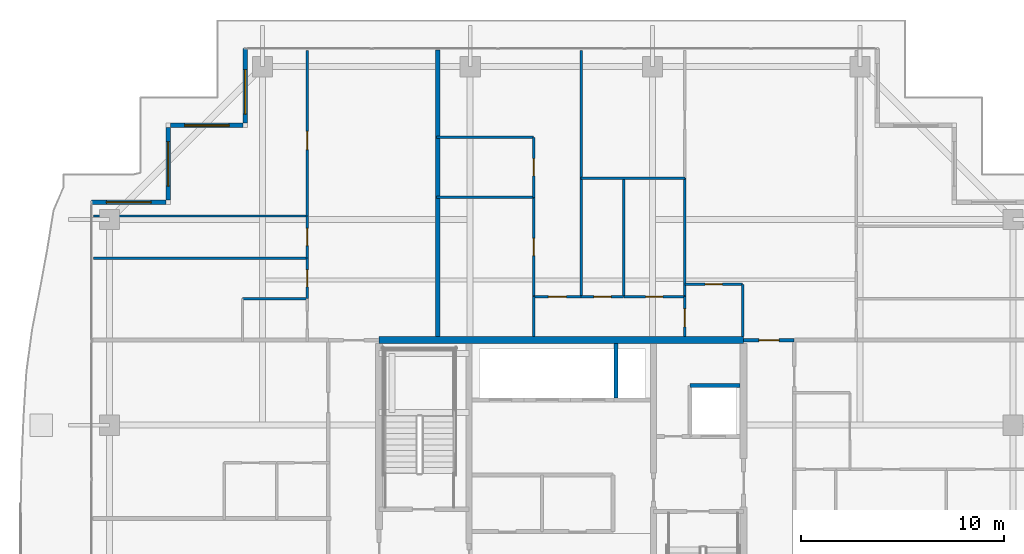
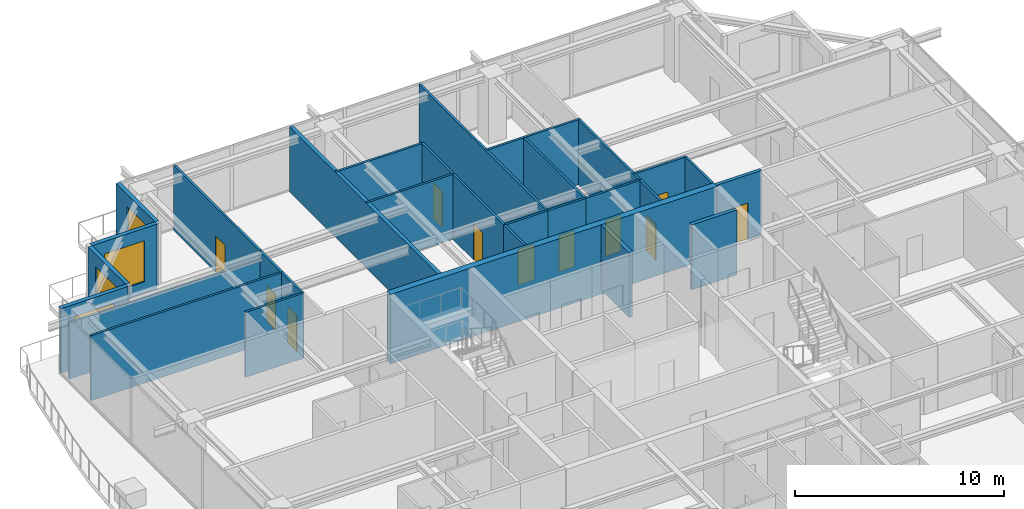
# One storey, part 29 of 37: 30 walls, 11 doors, 4 windows, 15 openings.
"""IFC4 building model written with IfcOpenShell, lengths in metres."""

from ifc_helpers import new_model, si_unit, direction, frame, frame_2d, origin, place, context, subcontext, project, spatial, rectangle, extrude, source, transform, mapped, material, layer, layer_set, type_object, element, fill, save


model = new_model("IFC4")

# Units and contexts
model_context = context("Model", 3, precision=1e-05, world=origin(), true_north=direction((0.0, 1.0)))
body_context = subcontext(model_context, "Body", "Model", "MODEL_VIEW")
ifc_project = project(units=[si_unit("LENGTHUNIT", "METRE"), si_unit("AREAUNIT", "SQUARE_METRE"), si_unit("VOLUMEUNIT", "CUBIC_METRE"), si_unit("PLANEANGLEUNIT", "RADIAN"), si_unit("MASSUNIT", "GRAM", prefix="KILO")], contexts=[model_context])

# Site, building, storey
site_placement = place(None, origin())
site = spatial("IfcSite", under=ifc_project, at=site_placement, CompositionType="ELEMENT")
building_placement = place(site_placement, origin())
building = spatial("IfcBuilding", under=site, at=building_placement, Name="Serunith Strait Residences", CompositionType="ELEMENT")
storey_placement = place(building_placement, frame((0.0, 0.0, 305.60009765625)))
storey = spatial("IfcBuildingStorey", under=building, at=storey_placement, Name="L76", CompositionType="ELEMENT", Elevation=305.60009765625)

# Wall, opening, window
ifc_material_1 = material(Name="Pale-Champagne Aluminium Insulated Panel", Category="aluminium")
ifc_layer_1 = layer(ifc_material_1, 0.219970703125, Name="Pale-Champagne Aluminium Insulated Panel")
ifc_layer_set_1 = layer_set([ifc_layer_1], Name="Pale-Champagne Aluminium Insulated Panel")
wall_type_1 = type_object("IfcWallType", Name="EW-ALUM-220", PredefinedType="ELEMENTEDWALL", material=ifc_layer_set_1)
wall_1_placement = place(storey_placement, frame((16.800048828125, 48.0, 0.0), z_axis=(0.0, 0.0, 1.0), x_axis=(0.0, -1.0, 0.0)))
wall_1 = element("IfcWall", 1, at=wall_1_placement, inside=storey, type_object=wall_type_1, Name="L76 Girih Serrated Corner Wall 12", PredefinedType="ELEMENTEDWALL", context=body_context, shape_type="SweptSolid", body=[
    extrude(rectangle(XDim=3.68994140625, YDim=0.219970703125, at=frame_2d((1.844970703125, 0.0))), origin(), (0.0, 0.0, 1.0), 3.77490234375),
])
opening_1_placement = place(wall_1_placement, frame((1.04296875, 0.0, 0.64990234375)))
opening_1 = element("IfcOpeningElement", 2, at=opening_1_placement, cuts=wall_1, Name="Opening W-06", PredefinedType="OPENING", context=body_context, shape_type="SweptSolid", body=[
    extrude(rectangle(XDim=2.199951171875, YDim=2.39990234375, at=frame_2d((1.10009765625, 1.199951171875))), frame((0.0, 0.1201171875, 0.0), z_axis=(0.0, -1.0, 0.0), x_axis=(1.0, 0.0, 0.0)), (0.0, 0.0, 1.0), 0.239990234375),
])
ifc_material_2 = material(Name="Crown Penthouse Low-E Operable Window Glass", Category="glass")
window_type = type_object("IfcWindowType", Name="WIN-C6", PartitioningType="TRIPLE_PANEL_VERTICAL", PredefinedType="WINDOW", material=ifc_material_2)
shared_shape_1 = source(origin(), body_context, "Body", "SweptSolid", [
    extrude(rectangle(XDim=2.199951171875, YDim=2.39990234375, at=frame_2d((1.10009765625, 1.199951171875))), frame((0.0, 0.030029296875, 0.0), z_axis=(0.0, -1.0, 0.0), x_axis=(1.0, 0.0, 0.0)), (0.0, 0.0, 1.0), 0.06005859375),
])
window_1_placement = place(opening_1_placement, origin())
window_1 = element("IfcWindow", 3, at=window_1_placement, inside=storey, type_object=window_type, Name="L76 Corner Operable Fritted Window 12", OverallHeight=2.39990234375, OverallWidth=2.199951171875, PartitioningType="SINGLE_PANEL", PredefinedType="WINDOW", context=body_context, shape_type="MappedRepresentation", body=[
    mapped(shared_shape_1, transform((0.0, 0.0, 0.0), scale=1.0)),
])
fill(opening_1, window_1)

wall_2_placement = place(storey_placement, frame((16.68994140625, 44.199951171875, 0.0), z_axis=(0.0, 0.0, 1.0), x_axis=(-1.0, 0.0, 0.0)))
wall_2 = element("IfcWall", 4, at=wall_2_placement, inside=storey, type_object=wall_type_1, Name="L76 Girih Serrated Corner Wall 13", PredefinedType="ELEMENTEDWALL", context=body_context, shape_type="SweptSolid", body=[
    extrude(rectangle(XDim=3.579833984375, YDim=0.219970703125, at=frame_2d((1.7900390625, 0.0))), origin(), (0.0, 0.0, 1.0), 3.77490234375),
])
opening_2_placement = place(wall_2_placement, frame((0.68994140625, 0.0, 0.64990234375)))
opening_2 = element("IfcOpeningElement", 5, at=opening_2_placement, cuts=wall_2, Name="Opening W-06", PredefinedType="OPENING", context=body_context, shape_type="SweptSolid", body=[
    extrude(rectangle(XDim=2.199951171875, YDim=2.39990234375, at=frame_2d((1.10009765625, 1.199951171875))), frame((0.0, 0.1201171875, 0.0), z_axis=(0.0, -1.0, 0.0), x_axis=(1.0, 0.0, 0.0)), (0.0, 0.0, 1.0), 0.239990234375),
])
window_2_placement = place(opening_2_placement, origin())
window_2 = element("IfcWindow", 6, at=window_2_placement, inside=storey, type_object=window_type, Name="L76 Corner Operable Fritted Window 13", OverallHeight=2.39990234375, OverallWidth=2.199951171875, PartitioningType="SINGLE_PANEL", PredefinedType="WINDOW", context=body_context, shape_type="MappedRepresentation", body=[
    mapped(shared_shape_1, transform((0.0, 0.0, 0.0), scale=1.0)),
])
fill(opening_2, window_2)

wall_3_placement = place(storey_placement, frame((13.0, 44.090087890625, 0.0), z_axis=(0.0, 0.0, 1.0), x_axis=(0.0, -1.0, 0.0)))
wall_3 = element("IfcWall", 7, at=wall_3_placement, inside=storey, type_object=wall_type_1, Name="L76 Girih Serrated Corner Wall 14", PredefinedType="ELEMENTEDWALL", context=body_context, shape_type="SweptSolid", body=[
    extrude(rectangle(XDim=3.580078125, YDim=0.219970703125, at=frame_2d((1.7900390625, 0.0))), origin(), (0.0, 0.0, 1.0), 3.77490234375),
])
opening_3_placement = place(wall_3_placement, frame((0.68994140625, 0.0, 0.64990234375)))
opening_3 = element("IfcOpeningElement", 8, at=opening_3_placement, cuts=wall_3, Name="Opening W-06", PredefinedType="OPENING", context=body_context, shape_type="SweptSolid", body=[
    extrude(rectangle(XDim=2.199951171875, YDim=2.39990234375, at=frame_2d((1.10009765625, 1.199951171875))), frame((0.0, 0.1201171875, 0.0), z_axis=(0.0, -1.0, 0.0), x_axis=(1.0, 0.0, 0.0)), (0.0, 0.0, 1.0), 0.239990234375),
])
window_3_placement = place(opening_3_placement, origin())
window_3 = element("IfcWindow", 9, at=window_3_placement, inside=storey, type_object=window_type, Name="L76 Corner Operable Fritted Window 14", OverallHeight=2.39990234375, OverallWidth=2.199951171875, PartitioningType="SINGLE_PANEL", PredefinedType="WINDOW", context=body_context, shape_type="MappedRepresentation", body=[
    mapped(shared_shape_1, transform((0.0, 0.0, 0.0), scale=1.0)),
])
fill(opening_3, window_3)

wall_4_placement = place(storey_placement, frame((12.889892578125, 40.39990234375, 0.0), z_axis=(0.0, 0.0, 1.0), x_axis=(-1.0, 0.0, 0.0)))
wall_4 = element("IfcWall", 10, at=wall_4_placement, inside=storey, type_object=wall_type_1, Name="L76 Girih Serrated Corner Wall 15", PredefinedType="ELEMENTEDWALL", context=body_context, shape_type="SweptSolid", body=[
    extrude(rectangle(XDim=3.68994140625, YDim=0.219970703125, at=frame_2d((1.844970703125, 0.0))), origin(), (0.0, 0.0, 1.0), 3.77490234375),
])
opening_4_placement = place(wall_4_placement, frame((0.7451171875, 0.0, 0.64990234375)))
opening_4 = element("IfcOpeningElement", 11, at=opening_4_placement, cuts=wall_4, Name="Opening W-06", PredefinedType="OPENING", context=body_context, shape_type="SweptSolid", body=[
    extrude(rectangle(XDim=2.199951171875, YDim=2.39990234375, at=frame_2d((1.10009765625, 1.199951171875))), frame((0.0, 0.1201171875, 0.0), z_axis=(0.0, -1.0, 0.0), x_axis=(1.0, 0.0, 0.0)), (0.0, 0.0, 1.0), 0.239990234375),
])
window_4_placement = place(opening_4_placement, origin())
window_4 = element("IfcWindow", 12, at=window_4_placement, inside=storey, type_object=window_type, Name="L76 Corner Operable Fritted Window 15", OverallHeight=2.39990234375, OverallWidth=2.199951171875, PartitioningType="SINGLE_PANEL", PredefinedType="WINDOW", context=body_context, shape_type="MappedRepresentation", body=[
    mapped(shared_shape_1, transform((0.0, 0.0, 0.0), scale=1.0)),
])
fill(opening_4, window_4)

# Wall, opening, door
ifc_material_3 = material(Name="Fire-rated acoustic gypsum partition")
ifc_layer_2 = layer(ifc_material_3, 0.179931640625, Name="Fire-rated acoustic gypsum partition")
ifc_layer_set_2 = layer_set([ifc_layer_2], Name="Fire-rated acoustic gypsum partition")
wall_type_2 = type_object("IfcWallType", Name="IW-CORR-180", PredefinedType="PARTITIONING", material=ifc_layer_set_2)
wall_5_placement = place(storey_placement, frame((41.402099609375, 33.60009765625, 0.0), z_axis=(0.0, 0.0, 1.0), x_axis=(1.0, 0.0, 0.0)))
wall_5 = element("IfcWall", 13, at=wall_5_placement, inside=storey, type_object=wall_type_2, Name="L76 Partition Wall 028", PredefinedType="PARTITIONING", context=body_context, shape_type="SweptSolid", body=[
    extrude(rectangle(XDim=2.495849609375, YDim=0.179931640625, at=frame_2d((1.248046875, 0.0))), origin(), (0.0, 0.0, 1.0), 3.789794921875),
])
opening_5_placement = place(wall_5_placement, frame((0.748046875, 0.0, 0.0)))
opening_5 = element("IfcOpeningElement", 14, at=opening_5_placement, cuts=wall_5, Name="Opening D-APT1000", PredefinedType="OPENING", context=body_context, shape_type="SweptSolid", body=[
    extrude(rectangle(XDim=1.0, YDim=2.14990234375, at=frame_2d((0.5, 1.074951171875))), frame((0.0, 0.10009765625, 0.0), z_axis=(0.0, -1.0, 0.0), x_axis=(1.0, 0.0, 0.0)), (0.0, 0.0, 1.0), 0.199951171875),
])
ifc_material_4 = material(Name="Solid timber engineered fire door", Category="wood")
door_type_1 = type_object("IfcDoorType", Name="ID-APT-1000", OperationType="NOTDEFINED", PredefinedType="DOOR", material=ifc_material_4)
shared_shape_2 = source(origin(), body_context, "Body", "SweptSolid", [
    extrude(rectangle(XDim=1.0, YDim=2.14990234375, at=frame_2d((0.5, 1.074951171875))), frame((0.0, 0.02490234375, 0.0), z_axis=(0.0, -1.0, 0.0), x_axis=(1.0, 0.0, 0.0)), (0.0, 0.0, 1.0), 0.050048828125),
])
door_1_placement = place(opening_5_placement, origin())
door_1 = element("IfcDoor", 15, at=door_1_placement, inside=storey, type_object=door_type_1, Name="L76 Unit 03 Entrance Door", OperationType="SINGLE_SWING_RIGHT", OverallHeight=2.14990234375, OverallWidth=1.0, PredefinedType="DOOR", context=body_context, shape_type="MappedRepresentation", body=[
    mapped(shared_shape_2, transform((0.0, 0.0, 0.0), scale=1.0)),
])
fill(opening_5, door_1)

ifc_material_5 = material(Name="Lightweight steel-stud gypsum partition", Category="steel")
ifc_layer_3 = layer(ifc_material_5, 0.1201171875, Name="Lightweight steel-stud gypsum partition")
ifc_layer_set_3 = layer_set([ifc_layer_3], Name="Lightweight steel-stud gypsum partition")
wall_type_3 = type_object("IfcWallType", Name="IW-PART-120", PredefinedType="PARTITIONING", material=ifc_layer_set_3)
wall_6_placement = place(storey_placement, frame((19.860107421875, 47.905029296875, 0.0), z_axis=(0.0, 0.0, 1.0), x_axis=(0.0, -1.0, 0.0)))
wall_6 = element("IfcWall", 16, at=wall_6_placement, inside=storey, type_object=wall_type_3, Name="L76 Partition Wall 052", PredefinedType="PARTITIONING", context=body_context, shape_type="SweptSolid", body=[
    extrude(rectangle(XDim=8.177001953125, YDim=0.1201171875, at=frame_2d((4.08837890625, 0.0))), origin(), (0.0, 0.0, 1.0), 3.789794921875),
])
opening_6_placement = place(wall_6_placement, frame((4.001953125, 0.0, 0.0)))
opening_6 = element("IfcOpeningElement", 17, at=opening_6_placement, cuts=wall_6, Name="Opening D-RM900", PredefinedType="OPENING", context=body_context, shape_type="SweptSolid", body=[
    extrude(rectangle(XDim=0.89990234375, YDim=2.10009765625, at=frame_2d((0.449951171875, 1.050048828125))), frame((0.0, 0.070068359375, 0.0), z_axis=(0.0, -1.0, 0.0), x_axis=(1.0, 0.0, 0.0)), (0.0, 0.0, 1.0), 0.14013671875),
])
ifc_material_6 = material(Name="Engineered timber flush bedroom door", Category="wood")
door_type_2 = type_object("IfcDoorType", Name="ID-ROOM-900", OperationType="NOTDEFINED", PredefinedType="DOOR", material=ifc_material_6)
shared_shape_3 = source(origin(), body_context, "Body", "SweptSolid", [
    extrude(rectangle(XDim=0.89990234375, YDim=2.10009765625, at=frame_2d((0.449951171875, 1.050048828125))), frame((0.0, 0.02490234375, 0.0), z_axis=(0.0, -1.0, 0.0), x_axis=(1.0, 0.0, 0.0)), (0.0, 0.0, 1.0), 0.050048828125),
])
door_2_placement = place(opening_6_placement, origin())
door_2 = element("IfcDoor", 18, at=door_2_placement, inside=storey, type_object=door_type_2, Name="L76 Master Bedroom 1 7602 Door", OperationType="SINGLE_SWING_LEFT", OverallHeight=2.10009765625, OverallWidth=0.89990234375, PredefinedType="DOOR", context=body_context, shape_type="MappedRepresentation", body=[
    mapped(shared_shape_3, transform((0.0, 0.0, 0.0), scale=1.0)),
])
fill(opening_6, door_2)

# Walls
wall_7_placement = place(storey_placement, frame((9.294921875, 39.72802734375, 0.0), z_axis=(0.0, 0.0, 1.0), x_axis=(1.0, 0.0, 0.0)))
element("IfcWall", 19, at=wall_7_placement, inside=storey, type_object=wall_type_3, Name="L76 Partition Wall 053", PredefinedType="PARTITIONING", context=body_context, shape_type="SweptSolid", body=[
    extrude(rectangle(XDim=10.565185546875, YDim=0.1201171875, at=frame_2d((5.28271484375, 0.0))), origin(), (0.0, 0.0, 1.0), 3.2919921875),
])
wall_8_placement = place(storey_placement, frame((9.294921875, 37.64990234375, 0.0), z_axis=(0.0, 0.0, 1.0), x_axis=(1.0, 0.0, 0.0)))
element("IfcWall", 20, at=wall_8_placement, inside=storey, type_object=wall_type_3, Name="L76 Partition Wall 054", PredefinedType="PARTITIONING", context=body_context, shape_type="SweptSolid", body=[
    extrude(rectangle(XDim=10.565185546875, YDim=0.1201171875, at=frame_2d((5.28271484375, 0.0))), origin(), (0.0, 0.0, 1.0), 3.789794921875),
])
wall_9_placement = place(storey_placement, frame((16.659912109375, 35.64990234375, 0.0), z_axis=(0.0, 0.0, 1.0), x_axis=(1.0, 0.0, 0.0)))
element("IfcWall", 21, at=wall_9_placement, inside=storey, type_object=wall_type_3, Name="L76 Partition Wall 055", PredefinedType="PARTITIONING", context=body_context, shape_type="SweptSolid", body=[
    extrude(rectangle(XDim=3.2001953125, YDim=0.1201171875, at=frame_2d((1.60009765625, 0.0))), origin(), (0.0, 0.0, 1.0), 3.789794921875),
])

# Wall, opening, door
wall_10_placement = place(storey_placement, frame((19.860107421875, 39.72607421875, 0.0), z_axis=(0.0, 0.0, 1.0), x_axis=(0.0, -1.0, 0.0)))
wall_10 = element("IfcWall", 22, at=wall_10_placement, inside=storey, type_object=wall_type_3, Name="L76 Partition Wall 057", PredefinedType="PARTITIONING", context=body_context, shape_type="SweptSolid", body=[
    extrude(rectangle(XDim=2.076171875, YDim=0.1201171875, at=frame_2d((1.0380859375, 0.0))), origin(), (0.0, 0.0, 1.0), 3.789794921875),
])
opening_7_placement = place(wall_10_placement, frame((0.613037109375, 0.0, 0.0)))
opening_7 = element("IfcOpeningElement", 23, at=opening_7_placement, cuts=wall_10, Name="Opening D-RM850", PredefinedType="OPENING", context=body_context, shape_type="SweptSolid", body=[
    extrude(rectangle(XDim=0.85009765625, YDim=2.10009765625, at=frame_2d((0.425048828125, 1.050048828125))), frame((0.0, 0.070068359375, 0.0), z_axis=(0.0, -1.0, 0.0), x_axis=(1.0, 0.0, 0.0)), (0.0, 0.0, 1.0), 0.14013671875),
])
ifc_material_7 = material(Name="Engineered timber flush study and kitchen door", Category="wood")
door_type_3 = type_object("IfcDoorType", Name="ID-ROOM-850", OperationType="NOTDEFINED", PredefinedType="DOOR", material=ifc_material_7)
shared_shape_4 = source(origin(), body_context, "Body", "SweptSolid", [
    extrude(rectangle(XDim=0.85009765625, YDim=2.10009765625, at=frame_2d((0.425048828125, 1.050048828125))), frame((0.0, 0.02490234375, 0.0), z_axis=(0.0, -1.0, 0.0), x_axis=(1.0, 0.0, 0.0)), (0.0, 0.0, 1.0), 0.050048828125),
])
door_3_placement = place(opening_7_placement, origin())
door_3 = element("IfcDoor", 24, at=door_3_placement, inside=storey, type_object=door_type_3, Name="L76 Dining 7602 Door", OperationType="SINGLE_SWING_RIGHT", OverallHeight=2.10009765625, OverallWidth=0.85009765625, PredefinedType="DOOR", context=body_context, shape_type="MappedRepresentation", body=[
    mapped(shared_shape_4, transform((0.0, 0.0, 0.0), scale=1.0)),
])
fill(opening_7, door_3)

wall_11_placement = place(storey_placement, frame((19.860107421875, 37.64794921875, 0.0), z_axis=(0.0, 0.0, 1.0), x_axis=(0.0, -1.0, 0.0)))
wall_11 = element("IfcWall", 25, at=wall_11_placement, inside=storey, type_object=wall_type_3, Name="L76 Partition Wall 058", PredefinedType="PARTITIONING", context=body_context, shape_type="SweptSolid", body=[
    extrude(rectangle(XDim=1.998046875, YDim=0.1201171875, at=frame_2d((0.9990234375, 0.0))), origin(), (0.0, 0.0, 1.0), 3.789794921875),
])
opening_8_placement = place(wall_11_placement, frame((0.573974609375, 0.0, 0.0)))
opening_8 = element("IfcOpeningElement", 26, at=opening_8_placement, cuts=wall_11, Name="Opening D-RM850", PredefinedType="OPENING", context=body_context, shape_type="SweptSolid", body=[
    extrude(rectangle(XDim=0.85009765625, YDim=2.10009765625, at=frame_2d((0.425048828125, 1.050048828125))), frame((0.0, 0.070068359375, 0.0), z_axis=(0.0, -1.0, 0.0), x_axis=(1.0, 0.0, 0.0)), (0.0, 0.0, 1.0), 0.14013671875),
])
door_4_placement = place(opening_8_placement, origin())
door_4 = element("IfcDoor", 27, at=door_4_placement, inside=storey, type_object=door_type_3, Name="L76 Kitchen 7602 Door", OperationType="SINGLE_SWING_LEFT", OverallHeight=2.10009765625, OverallWidth=0.85009765625, PredefinedType="DOOR", context=body_context, shape_type="MappedRepresentation", body=[
    mapped(shared_shape_4, transform((0.0, 0.0, 0.0), scale=1.0)),
])
fill(opening_8, door_4)

wall_12_placement = place(storey_placement, frame((38.5, 36.35009765625, 0.0), z_axis=(0.0, 0.0, 1.0), x_axis=(1.0, 0.0, 0.0)))
wall_12 = element("IfcWall", 28, at=wall_12_placement, inside=storey, type_object=wall_type_3, Name="L76 Partition Wall 060", PredefinedType="PARTITIONING", context=body_context, shape_type="SweptSolid", body=[
    extrude(rectangle(XDim=2.85009765625, YDim=0.1201171875, at=frame_2d((1.425048828125, 0.0))), origin(), (0.0, 0.0, 1.0), 3.789794921875),
])
opening_9_placement = place(wall_12_placement, frame((1.0, 0.0, 0.0)))
opening_9 = element("IfcOpeningElement", 29, at=opening_9_placement, cuts=wall_12, Name="Opening D-RM850", PredefinedType="OPENING", context=body_context, shape_type="SweptSolid", body=[
    extrude(rectangle(XDim=0.85009765625, YDim=2.10009765625, at=frame_2d((0.425048828125, 1.050048828125))), frame((0.0, 0.070068359375, 0.0), z_axis=(0.0, -1.0, 0.0), x_axis=(1.0, 0.0, 0.0)), (0.0, 0.0, 1.0), 0.14013671875),
])
door_5_placement = place(opening_9_placement, origin())
door_5 = element("IfcDoor", 30, at=door_5_placement, inside=storey, type_object=door_type_3, Name="L76 Kitchen 7603 Door", OperationType="SINGLE_SWING_LEFT", OverallHeight=2.10009765625, OverallWidth=0.85009765625, PredefinedType="DOOR", context=body_context, shape_type="MappedRepresentation", body=[
    mapped(shared_shape_4, transform((0.0, 0.0, 0.0), scale=1.0)),
])
fill(opening_9, door_5)

# Wall
wall_13_placement = place(storey_placement, frame((41.35009765625, 36.35009765625, 0.0), z_axis=(0.0, 0.0, 1.0), x_axis=(0.0, -1.0, 0.0)))
element("IfcWall", 31, at=wall_13_placement, inside=storey, type_object=wall_type_3, Name="L76 Partition Wall 061", PredefinedType="PARTITIONING", context=body_context, shape_type="SweptSolid", body=[
    extrude(rectangle(XDim=2.5751953125, YDim=0.1201171875, at=frame_2d((1.28759765625, 0.0))), origin(), (0.0, 0.0, 1.0), 3.789794921875),
])

# Wall, opening, door
wall_14_placement = place(storey_placement, frame((38.5, 35.75, 0.0), z_axis=(0.0, 0.0, 1.0), x_axis=(0.0, -1.0, 0.0)))
wall_14 = element("IfcWall", 32, at=wall_14_placement, inside=storey, type_object=wall_type_3, Name="L76 Partition Wall 062", PredefinedType="PARTITIONING", context=body_context, shape_type="SweptSolid", body=[
    extrude(rectangle(XDim=1.97509765625, YDim=0.1201171875, at=frame_2d((0.987548828125, 0.0))), origin(), (0.0, 0.0, 1.0), 3.789794921875),
])
opening_10_placement = place(wall_14_placement, frame((0.60107421875, 0.0, 0.0)))
opening_10 = element("IfcOpeningElement", 33, at=opening_10_placement, cuts=wall_14, Name="Opening D-RM900", PredefinedType="OPENING", context=body_context, shape_type="SweptSolid", body=[
    extrude(rectangle(XDim=0.89990234375, YDim=2.10009765625, at=frame_2d((0.449951171875, 1.050048828125))), frame((0.0, 0.070068359375, 0.0), z_axis=(0.0, -1.0, 0.0), x_axis=(1.0, 0.0, 0.0)), (0.0, 0.0, 1.0), 0.14013671875),
])
door_6_placement = place(opening_10_placement, origin())
door_6 = element("IfcDoor", 34, at=door_6_placement, inside=storey, type_object=door_type_2, Name="L76 Hall W 7603 Door", OperationType="SINGLE_SWING_RIGHT", OverallHeight=2.10009765625, OverallWidth=0.89990234375, PredefinedType="DOOR", context=body_context, shape_type="MappedRepresentation", body=[
    mapped(shared_shape_3, transform((0.0, 0.0, 0.0), scale=1.0)),
])
fill(opening_10, door_6)

# Walls
wall_15_placement = place(storey_placement, frame((38.5, 41.594970703125, 0.0), z_axis=(0.0, 0.0, 1.0), x_axis=(0.0, -1.0, 0.0)))
element("IfcWall", 35, at=wall_15_placement, inside=storey, type_object=wall_type_3, Name="L76 Partition Wall 064", PredefinedType="PARTITIONING", context=body_context, shape_type="SweptSolid", body=[
    extrude(rectangle(XDim=5.843017578125, YDim=0.1201171875, at=frame_2d((2.92138671875, 0.0))), origin(), (0.0, 0.0, 1.0), 3.789794921875),
])
wall_16_placement = place(storey_placement, frame((33.3798828125, 41.596923828125, 0.0), z_axis=(0.0, 0.0, 1.0), x_axis=(1.0, 0.0, 0.0)))
element("IfcWall", 36, at=wall_16_placement, inside=storey, type_object=wall_type_3, Name="L76 Partition Wall 065", PredefinedType="PARTITIONING", context=body_context, shape_type="SweptSolid", body=[
    extrude(rectangle(XDim=5.1201171875, YDim=0.1201171875, at=frame_2d((2.56005859375, 0.0))), origin(), (0.0, 0.0, 1.0), 3.789794921875),
])
wall_17_placement = place(storey_placement, frame((33.3798828125, 47.905029296875, 0.0), z_axis=(0.0, 0.0, 1.0), x_axis=(0.0, -1.0, 0.0)))
element("IfcWall", 37, at=wall_17_placement, inside=storey, type_object=wall_type_3, Name="L76 Partition Wall 066", PredefinedType="PARTITIONING", context=body_context, shape_type="SweptSolid", body=[
    extrude(rectangle(XDim=12.155029296875, YDim=0.1201171875, at=frame_2d((6.07763671875, 0.0))), origin(), (0.0, 0.0, 1.0), 3.789794921875),
])
wall_18_placement = place(storey_placement, frame((35.47998046875, 41.596923828125, 0.0), z_axis=(0.0, 0.0, 1.0), x_axis=(0.0, -1.0, 0.0)))
element("IfcWall", 38, at=wall_18_placement, inside=storey, type_object=wall_type_3, Name="L76 Partition Wall 067", PredefinedType="PARTITIONING", context=body_context, shape_type="SweptSolid", body=[
    extrude(rectangle(XDim=5.846923828125, YDim=0.1201171875, at=frame_2d((2.92333984375, 0.0))), origin(), (0.0, 0.0, 1.0), 3.789794921875),
])

# Wall, opening, door
wall_19_placement = place(storey_placement, frame((33.3798828125, 35.75, 0.0), z_axis=(0.0, 0.0, 1.0), x_axis=(1.0, 0.0, 0.0)))
wall_19 = element("IfcWall", 39, at=wall_19_placement, inside=storey, type_object=wall_type_3, Name="L76 Partition Wall 068", PredefinedType="PARTITIONING", context=body_context, shape_type="SweptSolid", body=[
    extrude(rectangle(XDim=2.10009765625, YDim=0.1201171875, at=frame_2d((1.050048828125, 0.0))), origin(), (0.0, 0.0, 1.0), 3.789794921875),
])
opening_11_placement = place(wall_19_placement, frame((0.625, 0.0, 0.0)))
opening_11 = element("IfcOpeningElement", 40, at=opening_11_placement, cuts=wall_19, Name="Opening D-BTH850", PredefinedType="OPENING", context=body_context, shape_type="SweptSolid", body=[
    extrude(rectangle(XDim=0.85009765625, YDim=2.10009765625, at=frame_2d((0.425048828125, 1.050048828125))), frame((0.0, 0.070068359375, 0.0), z_axis=(0.0, -1.0, 0.0), x_axis=(1.0, 0.0, 0.0)), (0.0, 0.0, 1.0), 0.14013671875),
])
ifc_material_8 = material(Name="Moisture-resistant timber bathroom door", Category="wood")
door_type_4 = type_object("IfcDoorType", Name="ID-BATH-850", OperationType="NOTDEFINED", PredefinedType="DOOR", material=ifc_material_8)
door_7_placement = place(opening_11_placement, origin())
door_7 = element("IfcDoor", 41, at=door_7_placement, inside=storey, type_object=door_type_4, Name="L76 Bathroom 7603 Door", OperationType="SINGLE_SWING_RIGHT", OverallHeight=2.10009765625, OverallWidth=0.85009765625, PredefinedType="DOOR", context=body_context, shape_type="MappedRepresentation", body=[
    mapped(shared_shape_4, transform((0.0, 0.0, 0.0), scale=1.0)),
])
fill(opening_11, door_7)

wall_20_placement = place(storey_placement, frame((35.48193359375, 35.75, 0.0), z_axis=(0.0, 0.0, 1.0), x_axis=(1.0, 0.0, 0.0)))
wall_20 = element("IfcWall", 42, at=wall_20_placement, inside=storey, type_object=wall_type_3, Name="L76 Partition Wall 069", PredefinedType="PARTITIONING", context=body_context, shape_type="SweptSolid", body=[
    extrude(rectangle(XDim=3.01806640625, YDim=0.1201171875, at=frame_2d((1.509033203125, 0.0))), origin(), (0.0, 0.0, 1.0), 3.789794921875),
])
opening_12_placement = place(wall_20_placement, frame((1.083984375, 0.0, 0.0)))
opening_12 = element("IfcOpeningElement", 43, at=opening_12_placement, cuts=wall_20, Name="Opening D-RM850", PredefinedType="OPENING", context=body_context, shape_type="SweptSolid", body=[
    extrude(rectangle(XDim=0.85009765625, YDim=2.10009765625, at=frame_2d((0.425048828125, 1.050048828125))), frame((0.0, 0.070068359375, 0.0), z_axis=(0.0, -1.0, 0.0), x_axis=(1.0, 0.0, 0.0)), (0.0, 0.0, 1.0), 0.14013671875),
])
door_8_placement = place(opening_12_placement, origin())
door_8 = element("IfcDoor", 44, at=door_8_placement, inside=storey, type_object=door_type_3, Name="L76 Formal Dining Room 7603 Door", OperationType="SINGLE_SWING_LEFT", OverallHeight=2.10009765625, OverallWidth=0.85009765625, PredefinedType="DOOR", context=body_context, shape_type="MappedRepresentation", body=[
    mapped(shared_shape_4, transform((0.0, 0.0, 0.0), scale=1.0)),
])
fill(opening_12, door_8)

wall_21_placement = place(storey_placement, frame((31.030029296875, 35.75, 0.0), z_axis=(0.0, 0.0, 1.0), x_axis=(1.0, 0.0, 0.0)))
wall_21 = element("IfcWall", 45, at=wall_21_placement, inside=storey, type_object=wall_type_3, Name="L76 Partition Wall 070", PredefinedType="PARTITIONING", context=body_context, shape_type="SweptSolid", body=[
    extrude(rectangle(XDim=2.347900390625, YDim=0.1201171875, at=frame_2d((1.173828125, 0.0))), origin(), (0.0, 0.0, 1.0), 3.789794921875),
])
opening_13_placement = place(wall_21_placement, frame((0.72412109375, 0.0, 0.0)))
opening_13 = element("IfcOpeningElement", 46, at=opening_13_placement, cuts=wall_21, Name="Opening D-RM900", PredefinedType="OPENING", context=body_context, shape_type="SweptSolid", body=[
    extrude(rectangle(XDim=0.89990234375, YDim=2.10009765625, at=frame_2d((0.449951171875, 1.050048828125))), frame((0.0, 0.070068359375, 0.0), z_axis=(0.0, -1.0, 0.0), x_axis=(1.0, 0.0, 0.0)), (0.0, 0.0, 1.0), 0.14013671875),
])
door_9_placement = place(opening_13_placement, origin())
door_9 = element("IfcDoor", 47, at=door_9_placement, inside=storey, type_object=door_type_2, Name="L76 Master Bedroom W 7603 Door", OperationType="SINGLE_SWING_RIGHT", OverallHeight=2.10009765625, OverallWidth=0.89990234375, PredefinedType="DOOR", context=body_context, shape_type="MappedRepresentation", body=[
    mapped(shared_shape_3, transform((0.0, 0.0, 0.0), scale=1.0)),
])
fill(opening_13, door_9)

# Walls
for number, where, z_axis, x_axis, name in (
    (48, (26.239990234375, 43.612060546875, 0.0), (0.0, 0.0, 1.0), (1.0, 0.0, 0.0), "L76 Partition Wall 071"),
    (49, (26.239990234375, 40.652099609375, 0.0), (0.0, 0.0, 1.0), (1.0, 0.0, 0.0), "L76 Partition Wall 072"),
):
    element("IfcWall", number, at=place(storey_placement, frame(where, z_axis=z_axis, x_axis=x_axis)), inside=storey, type_object=wall_type_3, Name=name, PredefinedType="PARTITIONING", context=body_context, shape_type="SweptSolid", body=[
        extrude(rectangle(XDim=4.7900390625, YDim=0.1201171875, at=frame_2d((2.39501953125, 0.0))), origin(), (0.0, 0.0, 1.0), 3.789794921875),
    ])

# Wall, opening, door
wall_22_placement = place(storey_placement, frame((31.030029296875, 43.612060546875, 0.0), z_axis=(0.0, 0.0, 1.0), x_axis=(0.0, -1.0, 0.0)))
wall_22 = element("IfcWall", 50, at=wall_22_placement, inside=storey, type_object=wall_type_3, Name="L76 Partition Wall 073", PredefinedType="PARTITIONING", context=body_context, shape_type="SweptSolid", body=[
    extrude(rectangle(XDim=2.9599609375, YDim=0.1201171875, at=frame_2d((1.47998046875, 0.0))), origin(), (0.0, 0.0, 1.0), 3.789794921875),
])
opening_14_placement = place(wall_22_placement, frame((1.054931640625, 0.0, 0.0)))
opening_14 = element("IfcOpeningElement", 51, at=opening_14_placement, cuts=wall_22, Name="Opening D-BTH850", PredefinedType="OPENING", context=body_context, shape_type="SweptSolid", body=[
    extrude(rectangle(XDim=0.85009765625, YDim=2.10009765625, at=frame_2d((0.425048828125, 1.050048828125))), frame((0.0, 0.070068359375, 0.0), z_axis=(0.0, -1.0, 0.0), x_axis=(1.0, 0.0, 0.0)), (0.0, 0.0, 1.0), 0.14013671875),
])
door_10_placement = place(opening_14_placement, origin())
door_10 = element("IfcDoor", 52, at=door_10_placement, inside=storey, type_object=door_type_4, Name="L76 En-suite Bathroom W 7603 Door", OperationType="SINGLE_SWING_LEFT", OverallHeight=2.10009765625, OverallWidth=0.85009765625, PredefinedType="DOOR", context=body_context, shape_type="MappedRepresentation", body=[
    mapped(shared_shape_4, transform((0.0, 0.0, 0.0), scale=1.0)),
])
fill(opening_14, door_10)

wall_23_placement = place(storey_placement, frame((31.030029296875, 40.64990234375, 0.0), z_axis=(0.0, 0.0, 1.0), x_axis=(0.0, -1.0, 0.0)))
wall_23 = element("IfcWall", 53, at=wall_23_placement, inside=storey, type_object=wall_type_3, Name="L76 Partition Wall 074", PredefinedType="PARTITIONING", context=body_context, shape_type="SweptSolid", body=[
    extrude(rectangle(XDim=4.89990234375, YDim=0.1201171875, at=frame_2d((2.449951171875, 0.0))), origin(), (0.0, 0.0, 1.0), 3.789794921875),
])
opening_15_placement = place(wall_23_placement, frame((2.02490234375, 0.0, 0.0)))
opening_15 = element("IfcOpeningElement", 54, at=opening_15_placement, cuts=wall_23, Name="Opening D-RM850", PredefinedType="OPENING", context=body_context, shape_type="SweptSolid", body=[
    extrude(rectangle(XDim=0.85009765625, YDim=2.10009765625, at=frame_2d((0.425048828125, 1.050048828125))), frame((0.0, 0.070068359375, 0.0), z_axis=(0.0, -1.0, 0.0), x_axis=(1.0, 0.0, 0.0)), (0.0, 0.0, 1.0), 0.14013671875),
])
door_11_placement = place(opening_15_placement, origin())
door_11 = element("IfcDoor", 55, at=door_11_placement, inside=storey, type_object=door_type_3, Name="L76 Wardrobe W 7603 Door", OperationType="SINGLE_SWING_RIGHT", OverallHeight=2.10009765625, OverallWidth=0.85009765625, PredefinedType="DOOR", context=body_context, shape_type="MappedRepresentation", body=[
    mapped(shared_shape_4, transform((0.0, 0.0, 0.0), scale=1.0)),
])
fill(opening_15, door_11)

# Walls
wall_24_placement = place(storey_placement, frame((31.030029296875, 35.748046875, 0.0), z_axis=(0.0, 0.0, 1.0), x_axis=(0.0, -1.0, 0.0)))
element("IfcWall", 56, at=wall_24_placement, inside=storey, type_object=wall_type_3, Name="L76 Partition Wall 075", PredefinedType="PARTITIONING", context=body_context, shape_type="SweptSolid", body=[
    extrude(rectangle(XDim=1.97314453125, YDim=0.1201171875, at=frame_2d((0.986572265625, 0.0))), origin(), (0.0, 0.0, 1.0), 3.789794921875),
])
ifc_material_9 = material(Name="Twin-stud acoustic gypsum board partition")
ifc_layer_4 = layer(ifc_material_9, 0.199951171875, Name="Twin-stud acoustic gypsum board partition")
ifc_layer_set_4 = layer_set([ifc_layer_4], Name="Twin-stud acoustic gypsum board partition")
wall_type_4 = type_object("IfcWallType", Name="IW-PARTY-200", PredefinedType="PARTITIONING", material=ifc_layer_set_4)
wall_25_placement = place(storey_placement, frame((26.300048828125, 33.77490234375, 0.0), z_axis=(0.0, 0.0, 1.0), x_axis=(0.0, 1.0, 0.0)))
element("IfcWall", 57, at=wall_25_placement, inside=storey, type_object=wall_type_4, Name="L76 Partition Wall 018", PredefinedType="PARTITIONING", context=body_context, shape_type="SweptSolid", body=[
    extrude(rectangle(XDim=14.14306640625, YDim=0.199951171875, at=frame_2d((7.071533203125, 0.0))), origin(), (0.0, 0.0, 1.0), 3.789794921875),
])
ifc_material_10 = material(Name="Autoclaved aerated concrete blockwork", Category="masonry")
ifc_layer_5 = layer(ifc_material_10, 0.199951171875, Name="Autoclaved aerated concrete blockwork")
ifc_layer_set_5 = layer_set([ifc_layer_5], Name="Autoclaved aerated concrete blockwork")
wall_type_5 = type_object("IfcWallType", Name="IW-SHAFT-200", PredefinedType="STANDARD", material=ifc_layer_set_5)
wall_26_placement = place(storey_placement, frame((35.10009765625, 30.75, 0.0), z_axis=(0.0, 0.0, 1.0), x_axis=(0.0, 1.0, 0.0)))
element("IfcWall", 58, at=wall_26_placement, inside=storey, type_object=wall_type_5, Name="L76 SL-1 West Shaft Wall", PredefinedType="STANDARD", context=body_context, shape_type="SweptSolid", body=[
    extrude(rectangle(XDim=2.675048828125, YDim=0.199951171875, at=frame_2d((1.33740234375, 0.0))), origin(), (0.0, 0.0, 1.0), 3.789794921875),
])
wall_27_placement = place(storey_placement, frame((38.75, 31.35009765625, 0.0), z_axis=(0.0, 0.0, 1.0), x_axis=(1.0, 0.0, 0.0)))
element("IfcWall", 59, at=wall_27_placement, inside=storey, type_object=wall_type_5, Name="L76 Partition Wall 005", PredefinedType="STANDARD", context=body_context, shape_type="SweptSolid", body=[
    extrude(rectangle(XDim=2.47509765625, YDim=0.199951171875, at=frame_2d((1.237548828125, 0.0))), origin(), (0.0, 0.0, 1.0), 3.789794921875),
])
ifc_material_11 = material(Name="Concrete C60/75", Category="concrete")
ifc_layer_6 = layer(ifc_material_11, 0.35009765625, Name="Concrete C60/75")
ifc_layer_set_6 = layer_set([ifc_layer_6], Name="Concrete C60/75")
wall_type_6 = type_object("IfcWallType", Name="SW-350-C60", PredefinedType="SHEAR", material=ifc_layer_set_6)
wall_28_placement = place(storey_placement, frame((41.39990234375, 33.60009765625, -0.260009765625), z_axis=(0.0, 0.0, 1.0), x_axis=(-1.0, 0.0, 0.0)))
element("IfcWall", 60, at=wall_28_placement, inside=storey, type_object=wall_type_6, Name="L76 Core North Shear Wall", PredefinedType="SHEAR", context=body_context, shape_type="SweptSolid", body=[
    extrude(rectangle(XDim=18.0, YDim=0.35009765625, at=frame_2d((9.0, 0.0))), origin(), (0.0, 0.0, 1.0), 4.0478515625),
])

save(model, "model.ifc")
